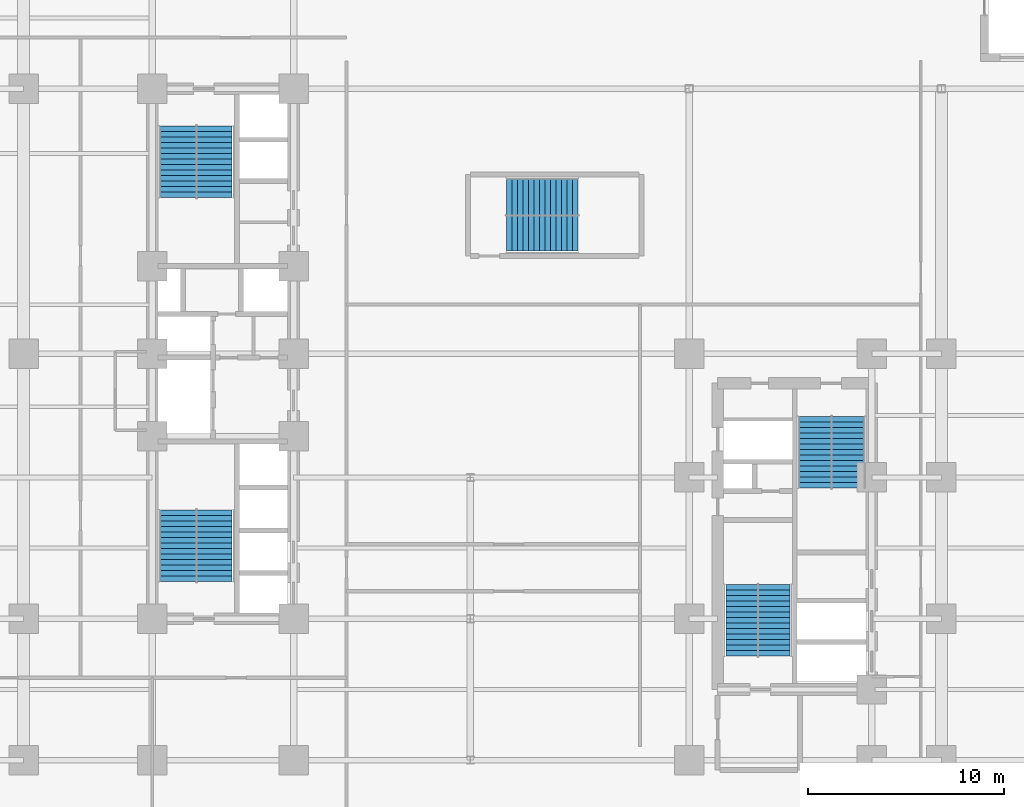
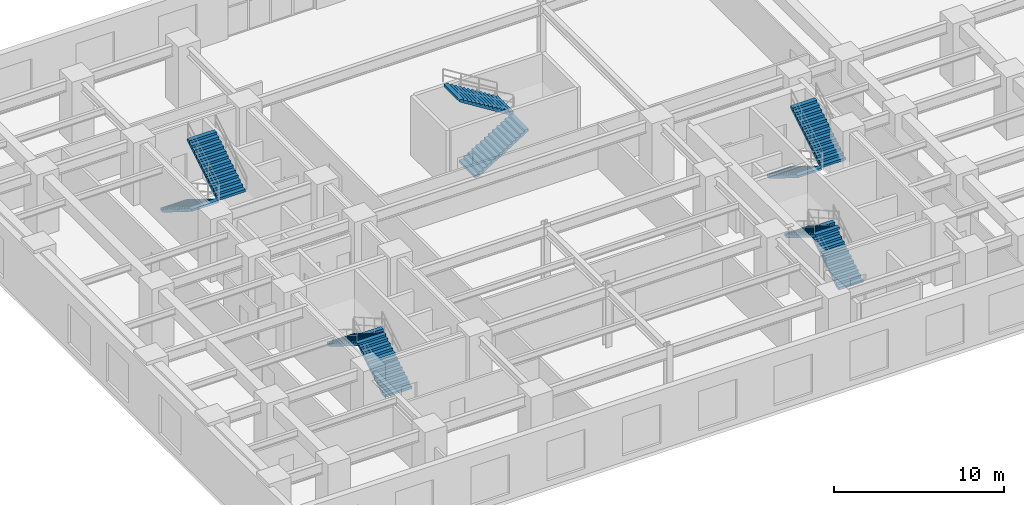
# One storey, part 12 of 15: 10 stair flights, 5 elements without a shape of their own.
"""IFC4 building model written with IfcOpenShell, lengths in metres."""

from ifc_helpers import new_model, entity, si_unit, converted_unit, direction, frame, origin_with_axes, place, context, subcontext, project, spatial, polyline, outline, extrude, material, type_object, element, aggregate, save


model = new_model("IFC4")

# Units and contexts
model_context = context("Model", 3, precision=1e-05, world=origin_with_axes(), true_north=direction((0.0, 1.0)))
body_context = subcontext(model_context, "Body", "Model", "MODEL_VIEW")
ifc_project = project(units=[si_unit("LENGTHUNIT", "METRE"), si_unit("AREAUNIT", "SQUARE_METRE"), si_unit("VOLUMEUNIT", "CUBIC_METRE"), converted_unit("PLANEANGLEUNIT", "DEGREE", entity("IfcPlaneAngleMeasure", 0.017453292519943295), si_unit("PLANEANGLEUNIT", "RADIAN"), dimensions=[0, 0, 0, 0, 0, 0, 0]), si_unit("MASSUNIT", "GRAM", prefix="KILO"), si_unit("THERMODYNAMICTEMPERATUREUNIT", "KELVIN")], contexts=[model_context])

# Site, building, storey
site_placement = place(None, origin_with_axes())
site = spatial("IfcSite", under=ifc_project, at=site_placement, CompositionType="ELEMENT")
building_placement = place(site_placement, origin_with_axes())
building = spatial("IfcBuilding", under=site, at=building_placement, Name="Varnlund Millrace Tower", CompositionType="ELEMENT")
storey_placement = place(building_placement, frame((0.0, 0.0, 10.8), z_axis=(0.0, 0.0, 1.0), x_axis=(1.0, 0.0, 0.0)))
storey = spatial("IfcBuildingStorey", under=building, at=storey_placement, Name="L02", CompositionType="ELEMENT", Elevation=10.8)

# Stair, stair flights
ifc_material_1 = material(Name="Concrete C50/60", Category="concrete")
stair_type_1 = type_object("IfcStairType", Name="Type-Stair-Dogleg-165-450", PredefinedType="HALF_TURN_STAIR", material=ifc_material_1)
stair_1_placement = place(storey_placement, origin_with_axes())
stair_1 = element("IfcStair", 1, at=stair_1_placement, inside=storey, type_object=stair_type_1, Name="Type-Stair-Dogleg-165-450", PredefinedType="HALF_TURN_STAIR")
ifc_material_2 = material(Name="Precast concrete C50/60", Category="concrete")
stair_flight_type_1 = type_object("IfcStairFlightType", Name="Type-Dogleg-Run-165-450", PredefinedType="STRAIGHT", material=ifc_material_2)
stair_flight_1_placement = place(storey_placement, frame((42.225, 8.9, 0.0), z_axis=(1.0, 0.0, 0.0), x_axis=(0.0, 1.0, 0.0)))
stair_flight_1 = element("IfcStairFlight", 2, at=stair_flight_1_placement, type_object=stair_flight_type_1, Name="ST-B1 flight 1", NumberOfRisers=13, NumberOfTreads=13, PredefinedType="STRAIGHT", RiserHeight=0.173077, TreadLength=0.28, context=body_context, shape_type="SweptSolid", body=[
    extrude(outline(polyline([(0.0, 0.0), (0.0, 0.173077), (0.28, 0.173077), (0.28, 0.346154), (0.56, 0.346154), (0.56, 0.519231), (0.84, 0.519231), (0.84, 0.692308), (1.12, 0.692308), (1.12, 0.865384), (1.4, 0.865384), (1.4, 1.038461), (1.68, 1.038461), (1.68, 1.211538), (1.96, 1.211538), (1.96, 1.384615), (2.24, 1.384615), (2.24, 1.557692), (2.52, 1.557692), (2.52, 1.730769), (2.8, 1.730769), (2.8, 1.903846), (3.08, 1.903846), (3.08, 2.076923), (3.36, 2.076923), (3.36, 2.25), (3.64, 2.25), (3.64, 2.1), (0.28, 0.0), (0.0, 0.0)])), origin_with_axes(), (0.0, 0.0, 1.0), 1.65),
])
stair_flight_2_placement = place(storey_placement, frame((42.275, 12.54, 2.25), z_axis=(-1.0, 0.0, 0.0), x_axis=(0.0, -1.0, 0.0)))
stair_flight_2 = element("IfcStairFlight", 3, at=stair_flight_2_placement, type_object=stair_flight_type_1, Name="ST-B1 flight 2", NumberOfRisers=13, NumberOfTreads=13, PredefinedType="STRAIGHT", RiserHeight=0.173077, TreadLength=0.28, context=body_context, shape_type="SweptSolid", body=[
    extrude(outline(polyline([(0.0, 0.0), (0.0, 0.173077), (0.28, 0.173077), (0.28, 0.346154), (0.56, 0.346154), (0.56, 0.519231), (0.84, 0.519231), (0.84, 0.692308), (1.12, 0.692308), (1.12, 0.865384), (1.4, 0.865384), (1.4, 1.038461), (1.68, 1.038461), (1.68, 1.211538), (1.96, 1.211538), (1.96, 1.384615), (2.24, 1.384615), (2.24, 1.557692), (2.52, 1.557692), (2.52, 1.730769), (2.8, 1.730769), (2.8, 1.903846), (3.08, 1.903846), (3.08, 2.076923), (3.36, 2.076923), (3.36, 2.25), (3.64, 2.25), (3.64, 2.1), (0.28, 0.0), (0.0, 0.0)])), origin_with_axes(), (0.0, 0.0, 1.0), 1.65),
])
aggregate(stair_1, [stair_flight_1, stair_flight_2])

stair_2_placement = place(storey_placement, origin_with_axes())
stair_2 = element("IfcStair", 4, at=stair_2_placement, inside=storey, type_object=stair_type_1, Name="Type-Stair-Dogleg-165-450", PredefinedType="HALF_TURN_STAIR")
stair_flight_3_placement = place(storey_placement, frame((46.025, 21.1, 0.0), z_axis=(-1.0, 0.0, 0.0), x_axis=(0.0, -1.0, 0.0)))
stair_flight_3 = element("IfcStairFlight", 5, at=stair_flight_3_placement, type_object=stair_flight_type_1, Name="ST-B2 flight 1", NumberOfRisers=13, NumberOfTreads=13, PredefinedType="STRAIGHT", RiserHeight=0.173077, TreadLength=0.28, context=body_context, shape_type="SweptSolid", body=[
    extrude(outline(polyline([(0.0, 0.0), (0.0, 0.173077), (0.28, 0.173077), (0.28, 0.346154), (0.56, 0.346154), (0.56, 0.519231), (0.84, 0.519231), (0.84, 0.692308), (1.12, 0.692308), (1.12, 0.865384), (1.4, 0.865384), (1.4, 1.038461), (1.68, 1.038461), (1.68, 1.211538), (1.96, 1.211538), (1.96, 1.384615), (2.24, 1.384615), (2.24, 1.557692), (2.52, 1.557692), (2.52, 1.730769), (2.8, 1.730769), (2.8, 1.903846), (3.08, 1.903846), (3.08, 2.076923), (3.36, 2.076923), (3.36, 2.25), (3.64, 2.25), (3.64, 2.1), (0.28, 0.0), (0.0, 0.0)])), origin_with_axes(), (0.0, 0.0, 1.0), 1.65),
])
stair_flight_4_placement = place(storey_placement, frame((45.975, 17.46, 2.25), z_axis=(1.0, 0.0, 0.0), x_axis=(0.0, 1.0, 0.0)))
stair_flight_4 = element("IfcStairFlight", 6, at=stair_flight_4_placement, type_object=stair_flight_type_1, Name="ST-B2 flight 2", NumberOfRisers=13, NumberOfTreads=13, PredefinedType="STRAIGHT", RiserHeight=0.173077, TreadLength=0.28, context=body_context, shape_type="SweptSolid", body=[
    extrude(outline(polyline([(0.0, 0.0), (0.0, 0.173077), (0.28, 0.173077), (0.28, 0.346154), (0.56, 0.346154), (0.56, 0.519231), (0.84, 0.519231), (0.84, 0.692308), (1.12, 0.692308), (1.12, 0.865384), (1.4, 0.865384), (1.4, 1.038461), (1.68, 1.038461), (1.68, 1.211538), (1.96, 1.211538), (1.96, 1.384615), (2.24, 1.384615), (2.24, 1.557692), (2.52, 1.557692), (2.52, 1.730769), (2.8, 1.730769), (2.8, 1.903846), (3.08, 1.903846), (3.08, 2.076923), (3.36, 2.076923), (3.36, 2.25), (3.64, 2.25), (3.64, 2.1), (0.28, 0.0), (0.0, 0.0)])), origin_with_axes(), (0.0, 0.0, 1.0), 1.65),
])
aggregate(stair_2, [stair_flight_3, stair_flight_4])

stair_type_2 = type_object("IfcStairType", Name="Type-Stair-Dogleg-185-450", PredefinedType="HALF_TURN_STAIR", material=ifc_material_1)
stair_3_placement = place(storey_placement, origin_with_axes())
stair_3 = element("IfcStair", 7, at=stair_3_placement, inside=storey, type_object=stair_type_2, Name="Type-Stair-Dogleg-185-450", PredefinedType="HALF_TURN_STAIR")
stair_flight_type_2 = type_object("IfcStairFlightType", Name="Type-Dogleg-Run-185-450", PredefinedType="STRAIGHT", material=ifc_material_2)
stair_flight_5_placement = place(storey_placement, frame((13.625, 12.7, 0.0), z_axis=(1.0, 0.0, 0.0), x_axis=(0.0, 1.0, 0.0)))
stair_flight_5 = element("IfcStairFlight", 8, at=stair_flight_5_placement, type_object=stair_flight_type_2, Name="ST-A1 flight 1", NumberOfRisers=13, NumberOfTreads=13, PredefinedType="STRAIGHT", RiserHeight=0.173077, TreadLength=0.28, context=body_context, shape_type="SweptSolid", body=[
    extrude(outline(polyline([(0.0, 0.0), (0.0, 0.173077), (0.28, 0.173077), (0.28, 0.346154), (0.56, 0.346154), (0.56, 0.519231), (0.84, 0.519231), (0.84, 0.692308), (1.12, 0.692308), (1.12, 0.865384), (1.4, 0.865384), (1.4, 1.038461), (1.68, 1.038461), (1.68, 1.211538), (1.96, 1.211538), (1.96, 1.384615), (2.24, 1.384615), (2.24, 1.557692), (2.52, 1.557692), (2.52, 1.730769), (2.8, 1.730769), (2.8, 1.903846), (3.08, 1.903846), (3.08, 2.076923), (3.36, 2.076923), (3.36, 2.25), (3.64, 2.25), (3.64, 2.1), (0.28, 0.0), (0.0, 0.0)])), origin_with_axes(), (0.0, 0.0, 1.0), 1.85),
])
stair_flight_6_placement = place(storey_placement, frame((13.675, 16.34, 2.25), z_axis=(-1.0, 0.0, 0.0), x_axis=(0.0, -1.0, 0.0)))
stair_flight_6 = element("IfcStairFlight", 9, at=stair_flight_6_placement, type_object=stair_flight_type_2, Name="ST-A1 flight 2", NumberOfRisers=13, NumberOfTreads=13, PredefinedType="STRAIGHT", RiserHeight=0.173077, TreadLength=0.28, context=body_context, shape_type="SweptSolid", body=[
    extrude(outline(polyline([(0.0, 0.0), (0.0, 0.173077), (0.28, 0.173077), (0.28, 0.346154), (0.56, 0.346154), (0.56, 0.519231), (0.84, 0.519231), (0.84, 0.692308), (1.12, 0.692308), (1.12, 0.865384), (1.4, 0.865384), (1.4, 1.038461), (1.68, 1.038461), (1.68, 1.211538), (1.96, 1.211538), (1.96, 1.384615), (2.24, 1.384615), (2.24, 1.557692), (2.52, 1.557692), (2.52, 1.730769), (2.8, 1.730769), (2.8, 1.903846), (3.08, 1.903846), (3.08, 2.076923), (3.36, 2.076923), (3.36, 2.25), (3.64, 2.25), (3.64, 2.1), (0.28, 0.0), (0.0, 0.0)])), origin_with_axes(), (0.0, 0.0, 1.0), 1.85),
])
aggregate(stair_3, [stair_flight_5, stair_flight_6])

stair_4_placement = place(storey_placement, origin_with_axes())
stair_4 = element("IfcStair", 10, at=stair_4_placement, inside=storey, type_object=stair_type_2, Name="Type-Stair-Dogleg-185-450", PredefinedType="HALF_TURN_STAIR")
stair_flight_7_placement = place(storey_placement, frame((13.675, 35.9, 0.0), z_axis=(-1.0, 0.0, 0.0), x_axis=(0.0, -1.0, 0.0)))
stair_flight_7 = element("IfcStairFlight", 11, at=stair_flight_7_placement, type_object=stair_flight_type_2, Name="ST-A2 flight 1", NumberOfRisers=13, NumberOfTreads=13, PredefinedType="STRAIGHT", RiserHeight=0.173077, TreadLength=0.28, context=body_context, shape_type="SweptSolid", body=[
    extrude(outline(polyline([(0.0, 0.0), (0.0, 0.173077), (0.28, 0.173077), (0.28, 0.346154), (0.56, 0.346154), (0.56, 0.519231), (0.84, 0.519231), (0.84, 0.692308), (1.12, 0.692308), (1.12, 0.865384), (1.4, 0.865384), (1.4, 1.038461), (1.68, 1.038461), (1.68, 1.211538), (1.96, 1.211538), (1.96, 1.384615), (2.24, 1.384615), (2.24, 1.557692), (2.52, 1.557692), (2.52, 1.730769), (2.8, 1.730769), (2.8, 1.903846), (3.08, 1.903846), (3.08, 2.076923), (3.36, 2.076923), (3.36, 2.25), (3.64, 2.25), (3.64, 2.1), (0.28, 0.0), (0.0, 0.0)])), origin_with_axes(), (0.0, 0.0, 1.0), 1.85),
])
stair_flight_8_placement = place(storey_placement, frame((13.625, 32.26, 2.25), z_axis=(1.0, 0.0, 0.0), x_axis=(0.0, 1.0, 0.0)))
stair_flight_8 = element("IfcStairFlight", 12, at=stair_flight_8_placement, type_object=stair_flight_type_2, Name="ST-A2 flight 2", NumberOfRisers=13, NumberOfTreads=13, PredefinedType="STRAIGHT", RiserHeight=0.173077, TreadLength=0.28, context=body_context, shape_type="SweptSolid", body=[
    extrude(outline(polyline([(0.0, 0.0), (0.0, 0.173077), (0.28, 0.173077), (0.28, 0.346154), (0.56, 0.346154), (0.56, 0.519231), (0.84, 0.519231), (0.84, 0.692308), (1.12, 0.692308), (1.12, 0.865384), (1.4, 0.865384), (1.4, 1.038461), (1.68, 1.038461), (1.68, 1.211538), (1.96, 1.211538), (1.96, 1.384615), (2.24, 1.384615), (2.24, 1.557692), (2.52, 1.557692), (2.52, 1.730769), (2.8, 1.730769), (2.8, 1.903846), (3.08, 1.903846), (3.08, 2.076923), (3.36, 2.076923), (3.36, 2.25), (3.64, 2.25), (3.64, 2.1), (0.28, 0.0), (0.0, 0.0)])), origin_with_axes(), (0.0, 0.0, 1.0), 1.85),
])
aggregate(stair_4, [stair_flight_7, stair_flight_8])

stair_5_placement = place(storey_placement, origin_with_axes())
stair_5 = element("IfcStair", 13, at=stair_5_placement, inside=storey, type_object=stair_type_2, Name="Type-Stair-Dogleg-185-450", PredefinedType="HALF_TURN_STAIR")
stair_flight_9_placement = place(storey_placement, frame((29.45, 31.375, 0.0), z_axis=(0.0, -1.0, 0.0), x_axis=(1.0, 0.0, 0.0)))
stair_flight_9 = element("IfcStairFlight", 14, at=stair_flight_9_placement, type_object=stair_flight_type_2, Name="ST-P1 flight 1", NumberOfRisers=13, NumberOfTreads=13, PredefinedType="STRAIGHT", RiserHeight=0.173077, TreadLength=0.28, context=body_context, shape_type="SweptSolid", body=[
    extrude(outline(polyline([(0.0, 0.0), (0.0, 0.173077), (0.28, 0.173077), (0.28, 0.346154), (0.56, 0.346154), (0.56, 0.519231), (0.84, 0.519231), (0.84, 0.692308), (1.12, 0.692308), (1.12, 0.865384), (1.4, 0.865384), (1.4, 1.038461), (1.68, 1.038461), (1.68, 1.211538), (1.96, 1.211538), (1.96, 1.384615), (2.24, 1.384615), (2.24, 1.557692), (2.52, 1.557692), (2.52, 1.730769), (2.8, 1.730769), (2.8, 1.903846), (3.08, 1.903846), (3.08, 2.076923), (3.36, 2.076923), (3.36, 2.25), (3.64, 2.25), (3.64, 2.1), (0.28, 0.0), (0.0, 0.0)])), origin_with_axes(), (0.0, 0.0, 1.0), 1.85),
])
stair_flight_10_placement = place(storey_placement, frame((33.09, 31.325, 2.25), z_axis=(0.0, 1.0, 0.0), x_axis=(-1.0, 0.0, 0.0)))
stair_flight_10 = element("IfcStairFlight", 15, at=stair_flight_10_placement, type_object=stair_flight_type_2, Name="ST-P1 flight 2", NumberOfRisers=13, NumberOfTreads=13, PredefinedType="STRAIGHT", RiserHeight=0.173077, TreadLength=0.28, context=body_context, shape_type="SweptSolid", body=[
    extrude(outline(polyline([(0.0, 0.0), (0.0, 0.173077), (0.28, 0.173077), (0.28, 0.346154), (0.56, 0.346154), (0.56, 0.519231), (0.84, 0.519231), (0.84, 0.692308), (1.12, 0.692308), (1.12, 0.865384), (1.4, 0.865384), (1.4, 1.038461), (1.68, 1.038461), (1.68, 1.211538), (1.96, 1.211538), (1.96, 1.384615), (2.24, 1.384615), (2.24, 1.557692), (2.52, 1.557692), (2.52, 1.730769), (2.8, 1.730769), (2.8, 1.903846), (3.08, 1.903846), (3.08, 2.076923), (3.36, 2.076923), (3.36, 2.25), (3.64, 2.25), (3.64, 2.1), (0.28, 0.0), (0.0, 0.0)])), origin_with_axes(), (0.0, 0.0, 1.0), 1.85),
])
aggregate(stair_5, [stair_flight_9, stair_flight_10])

save(model, "model.ifc")
